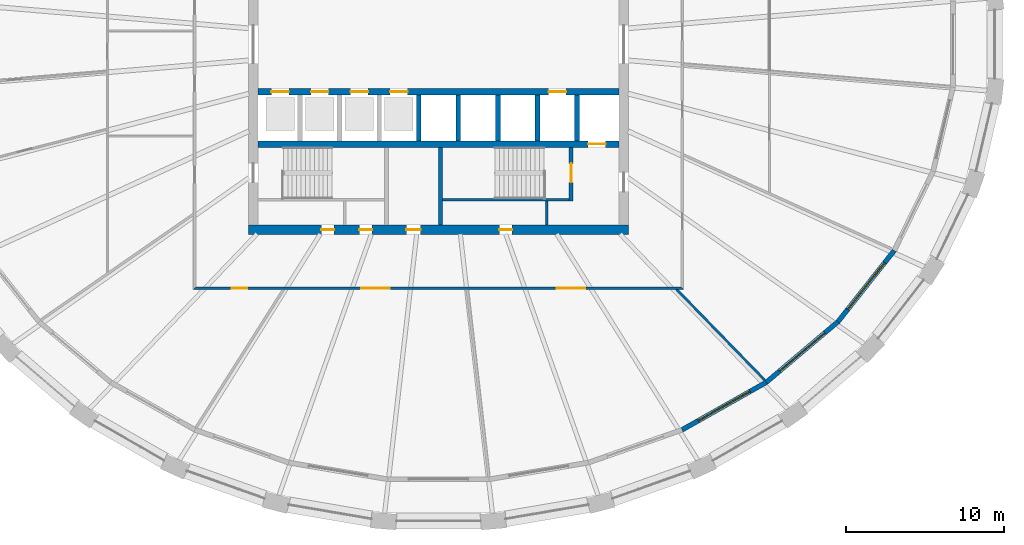
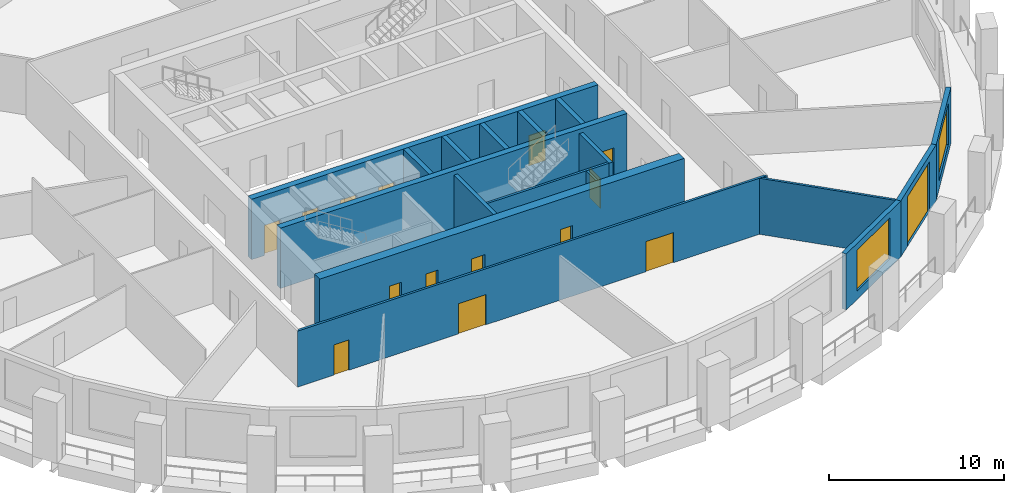
# One storey, part 4 of 10: 17 walls, 15 doors, 2 windows, 17 openings.
"""IFC4 building model written with IfcOpenShell, lengths in metres."""

import ifcopenshell
import ifcopenshell.guid

model = None  # the IFC model being written
_history = None  # IfcOwnerHistory: only IFC2X3 demands one
_inside = {}  # id of a spatial element -> (the spatial element, [elements in it])
_under = {}  # id of a project, library or spatial element -> (it, [spatial elements below it])
_declared = {}  # id of a project -> (the project, [libraries it declares])
_typed = {}  # id of a type object -> (the type object, [elements of that type])
_made_of = {}  # id of a material, layer set ... -> (it, [elements and type objects made of it])


def new_model(schema):
    """Start an empty IFC model of exactly this schema.

    Asked for "IFC4X3", IfcOpenShell would pick the latest addendum, in which some entities
    have other attributes; the version numbers below select the first issue.
    IFC2X3 requires an IfcOwnerHistory on every rooted entity: one is made here for all.
    """
    global model, _history
    if schema == "IFC4X3":
        model = ifcopenshell.file(schema_version=(4, 3, 0, 0))
    else:
        model = ifcopenshell.file(schema=schema)
    _inside.clear()
    _under.clear()
    _declared.clear()
    _typed.clear()
    _made_of.clear()
    _history = None
    if model.schema == "IFC2X3":
        org = make("IfcOrganization", Name="unknown")
        user = make(
            "IfcPersonAndOrganization",
            ThePerson=make("IfcPerson", FamilyName="unknown"),
            TheOrganization=org,
        )
        app = make(
            "IfcApplication",
            ApplicationDeveloper=org,
            Version="unknown",
            ApplicationFullName="unknown",
            ApplicationIdentifier="unknown",
        )
        _history = make(
            "IfcOwnerHistory",
            OwningUser=user,
            OwningApplication=app,
            ChangeAction="ADDED",
            CreationDate=0,
        )
    return model


def make(cls, **values):
    """One entity of the class cls with the attributes given. An attribute that is None is left unset."""
    return model.create_entity(
        cls, **{name: value for name, value in values.items() if value is not None}
    )


def rooted(cls, **values):
    """An entity with a GlobalId (a new one), such as an element, a storey or a relation."""
    return make(cls, GlobalId=ifcopenshell.guid.new(), OwnerHistory=_history, **values)


def si_unit(unit_type, name, prefix=None):
    """IfcSIUnit, for example si_unit("LENGTHUNIT", "METRE", prefix="MILLI")."""
    return make("IfcSIUnit", UnitType=unit_type, Prefix=prefix, Name=name)


def assignment(units):
    """IfcUnitAssignment: the units of a project."""
    return None if units is None else make("IfcUnitAssignment", Units=units)


def point(xyz):
    """IfcCartesianPoint."""
    return None if xyz is None else make("IfcCartesianPoint", Coordinates=xyz)


def direction(xyz):
    """IfcDirection."""
    return None if xyz is None else make("IfcDirection", DirectionRatios=xyz)


def frame(location, z_axis=None, x_axis=None):
    """IfcAxis2Placement3D, a coordinate frame: its origin and axes. An axis left out is left unset."""
    return make(
        "IfcAxis2Placement3D",
        Location=point(location),
        Axis=direction(z_axis),
        RefDirection=direction(x_axis),
    )


def frame_2d(location, x_axis=None):
    """IfcAxis2Placement2D, a coordinate frame in the plane: its origin and x axis."""
    return make(
        "IfcAxis2Placement2D", Location=point(location), RefDirection=direction(x_axis)
    )


def origin():
    """The frame at (0, 0, 0) with its axes left unset."""
    return frame((0.0, 0.0, 0.0))


def place(relative_to, where):
    """IfcLocalPlacement: puts the frame where relative to a parent placement (None: the world)."""
    return make(
        "IfcLocalPlacement", PlacementRelTo=relative_to, RelativePlacement=where
    )


def context(
    kind, dimensions, precision=None, world=None, true_north=None, identifier=None
):
    """IfcGeometricRepresentationContext, for example the 3D "Model" context."""
    return make(
        "IfcGeometricRepresentationContext",
        ContextIdentifier=identifier,
        ContextType=kind,
        CoordinateSpaceDimension=dimensions,
        Precision=precision,
        WorldCoordinateSystem=world,
        TrueNorth=true_north,
    )


def subcontext(parent, identifier, kind, view, scale=None):
    """IfcGeometricRepresentationSubContext, for example "Body" below "Model"."""
    return make(
        "IfcGeometricRepresentationSubContext",
        ContextIdentifier=identifier,
        ContextType=kind,
        ParentContext=parent,
        TargetScale=scale,
        TargetView=view,
    )


def project(units=None, contexts=None):
    """IfcProject with its units and contexts."""
    return rooted(
        "IfcProject",
        Name="project",
        RepresentationContexts=contexts,
        UnitsInContext=assignment(units),
    )


def spatial(cls, under=None, at=None, **own):
    """A site, building, storey or space (cls), placed at a placement, below another one or the project."""
    s = rooted(cls, ObjectPlacement=at, **own)
    if under is not None:
        _under.setdefault(under.id(), (under, []))[1].append(s)
    return s


def polyline(points):
    """IfcPolyline through the points."""
    return make("IfcPolyline", Points=[point(p) for p in points])


def profile(cls, at=None, kind="AREA", **sizes):
    """A parametric profile (cls). Its sizes go by their IFC names, for example OverallWidth=200.0."""
    return make(cls, ProfileType=kind, Position=at, **sizes)


def rectangle(**sizes):
    """IfcRectangleProfileDef."""
    return profile("IfcRectangleProfileDef", **sizes)


def outline(outer, holes=None, kind="AREA"):
    """IfcArbitraryClosedProfileDef: a profile drawn as a closed curve; with holes, ...WithVoids."""
    if holes is None:
        return make("IfcArbitraryClosedProfileDef", ProfileType=kind, OuterCurve=outer)
    return make(
        "IfcArbitraryProfileDefWithVoids",
        ProfileType=kind,
        OuterCurve=outer,
        InnerCurves=holes,
    )


def extrude(swept, where, along, depth):
    """IfcExtrudedAreaSolid: the profile swept, set in the frame where, extruded along a direction by depth."""
    return make(
        "IfcExtrudedAreaSolid",
        SweptArea=swept,
        Position=where,
        ExtrudedDirection=direction(along),
        Depth=depth,
    )


def shape(context_of_items, identifier, shape_type, items):
    """IfcShapeRepresentation: the items that make up one representation, for example the "Body"."""
    return make(
        "IfcShapeRepresentation",
        ContextOfItems=context_of_items,
        RepresentationIdentifier=identifier,
        RepresentationType=shape_type,
        Items=items,
    )


def material(Name=None, Category=None):
    """IfcMaterial."""
    return make("IfcMaterial", Name=Name, Category=Category)


def layer(
    of_material, thickness, ventilated=None, Name=None, Category=None, Priority=None
):
    """IfcMaterialLayer: one layer of a wall or slab, of a material (None: an air gap)."""
    return make(
        "IfcMaterialLayer",
        Material=of_material,
        LayerThickness=thickness,
        IsVentilated=ventilated,
        Name=Name,
        Category=Category,
        Priority=Priority,
    )


def layer_set(layers, Name=None):
    """IfcMaterialLayerSet."""
    return make("IfcMaterialLayerSet", MaterialLayers=layers, LayerSetName=Name)


def made_of(thing, what):
    """Note that an element or type object is made of a material, layer set ...; save() writes the relation."""
    if what is not None:
        _made_of.setdefault(what.id(), (what, []))[1].append(thing)
    return thing


def type_object(cls, material=None, **own):
    """A type object (cls), such as IfcWallType, which elements share."""
    return made_of(rooted(cls, **own), material)


def element(
    cls,
    number,
    at=None,
    inside=None,
    cuts=None,
    type_object=None,
    material=None,
    context=None,
    identifier="Body",
    shape_type=None,
    held_by="IfcProductDefinitionShape",
    body=None,
    shapes=None,
    **own,
):
    """One element of the class cls, such as IfcWall. Its Tag is "e" and its number.

    at: its placement. inside: the storey or other place that contains it. cuts: it is an
    opening in that element (IfcRelVoidsElement). A single representation is given by context,
    identifier, shape_type and body (its items); several are given by shapes. held_by: the class
    of the entity that holds the representations. save() writes the other relations.
    """
    e = rooted(cls, Tag="e%d" % number, ObjectPlacement=at, **own)
    if body is not None:
        shapes = [shape(context, identifier, shape_type, body)]
    if shapes is not None:
        e.Representation = make(held_by, Representations=shapes)
    if inside is not None:
        _inside.setdefault(inside.id(), (inside, []))[1].append(e)
    if cuts is not None:
        rooted(
            "IfcRelVoidsElement", RelatingBuildingElement=cuts, RelatedOpeningElement=e
        )
    if type_object is not None:
        _typed.setdefault(type_object.id(), (type_object, []))[1].append(e)
    return made_of(e, material)


def fill(opening, filler):
    """IfcRelFillsElement: the door or window that sits in an opening."""
    return rooted(
        "IfcRelFillsElement",
        RelatingOpeningElement=opening,
        RelatedBuildingElement=filler,
    )


def aggregate(whole, parts):
    """IfcRelAggregates: a whole, such as a stair, and the parts it consists of."""
    return rooted("IfcRelAggregates", RelatingObject=whole, RelatedObjects=parts)


def save(model, path):
    """Write the relations noted so far, then the file.

    IfcRelAggregates (storeys below a building ...), IfcRelContainedInSpatialStructure (elements
    in a storey), IfcRelDefinesByType, IfcRelAssociatesMaterial and IfcRelDeclares: one each for
    every whole, place, type object, material and project.
    """
    for whole, parts in _under.values():
        aggregate(whole, parts)
    for where, things in _inside.values():
        rooted(
            "IfcRelContainedInSpatialStructure",
            RelatedElements=things,
            RelatingStructure=where,
        )
    for kind, things in _typed.values():
        rooted("IfcRelDefinesByType", RelatedObjects=things, RelatingType=kind)
    for what, things in _made_of.values():
        rooted("IfcRelAssociatesMaterial", RelatedObjects=things, RelatingMaterial=what)
    for by, libraries in _declared.values():
        rooted("IfcRelDeclares", RelatingContext=by, RelatedDefinitions=libraries)
    model.write(path)


model = new_model("IFC4")

# Units and contexts
model_context = context("Model", 3, precision=1e-05, world=origin(), true_north=direction((0.0, 1.0)))
body_context = subcontext(model_context, "Body", "Model", "MODEL_VIEW")
ifc_project = project(units=[si_unit("LENGTHUNIT", "METRE"), si_unit("AREAUNIT", "SQUARE_METRE"), si_unit("VOLUMEUNIT", "CUBIC_METRE"), si_unit("PLANEANGLEUNIT", "RADIAN"), si_unit("MASSUNIT", "GRAM", prefix="KILO")], contexts=[model_context])

# Site, building, storey
site_placement = place(None, origin())
site = spatial("IfcSite", under=ifc_project, at=site_placement, CompositionType="ELEMENT")
building_placement = place(site_placement, origin())
building = spatial("IfcBuilding", under=site, at=building_placement, Name="Halqa Exchange Tower", CompositionType="ELEMENT")
storey_placement = place(building_placement, frame((0.0, 0.0, 104.5)))
storey = spatial("IfcBuildingStorey", under=building, at=storey_placement, Name="L23", CompositionType="ELEMENT", Elevation=104.5)

# Wall, openings, doors
ifc_material_1 = material(Name="Fire-rated gypsum board")
ifc_layer_1 = layer(ifc_material_1, 0.14990234375)
ifc_layer_set_1 = layer_set([ifc_layer_1], Name="Fire-rated gypsum board")
wall_type_1 = type_object("IfcWallType", Name="Fire partition EI 60 150", PredefinedType="PARTITIONING", material=ifc_layer_set_1)
wall_1_placement = place(storey_placement, frame((-15.47509765625, -15.39990234375, 0.0), z_axis=(0.0, 0.0, 1.0), x_axis=(1.0, 0.0, 0.0)))
wall_1 = element("IfcWall", 1, at=wall_1_placement, inside=storey, type_object=wall_type_1, Name="L23-PWL-009", PredefinedType="PARTITIONING", context=body_context, shape_type="SweptSolid", body=[
    extrude(outline(polyline([(0.000244140625, -0.074951171875), (1.9345703125, -0.074951171875), (3.868896484375, -0.074951171875), (5.80322265625, -0.074951171875), (7.73779296875, -0.074951171875), (9.672119140625, -0.074951171875), (11.6064453125, -0.074951171875), (13.540771484375, -0.074951171875), (15.47509765625, -0.074951171875), (17.409423828125, -0.074951171875), (19.34375, -0.074951171875), (21.278076171875, -0.074951171875), (23.21240234375, -0.074951171875), (25.14697265625, -0.074951171875), (27.081298828125, -0.074951171875), (29.015625, -0.074951171875), (30.949951171875, -0.074951171875), (30.800048828125, 0.074951171875), (28.884521484375, 0.074951171875), (26.96875, 0.074951171875), (25.05322265625, 0.074951171875), (23.1376953125, 0.074951171875), (21.221923828125, 0.074951171875), (19.306396484375, 0.074951171875), (17.390625, 0.074951171875), (15.47509765625, 0.074951171875), (13.5595703125, 0.074951171875), (11.643798828125, 0.074951171875), (9.728271484375, 0.074951171875), (7.8125, 0.074951171875), (5.89697265625, 0.074951171875), (3.9814453125, 0.074951171875), (2.065673828125, 0.074951171875), (0.150146484375, 0.074951171875), (0.000244140625, -0.074951171875)])), origin(), (0.0, 0.0, 1.0), 3.89990234375),
])
opening_1_placement = place(wall_1_placement, frame((2.405029296875, 0.0, 0.0)))
opening_1 = element("IfcOpeningElement", 2, at=opening_1_placement, cuts=wall_1, Name="Opening 07-08", PredefinedType="OPENING", context=body_context, shape_type="SweptSolid", body=[
    extrude(rectangle(XDim=1.0, YDim=2.10009765625, at=frame_2d((0.5, 1.050048828125))), frame((0.0, 0.0869140625, 0.0), z_axis=(0.0, -1.0, 0.0), x_axis=(1.0, 0.0, 0.0)), (0.0, 0.0, 1.0), 0.173828125),
])
opening_2_placement = place(wall_1_placement, frame((10.60498046875, 0.0, 0.0)))
opening_2 = element("IfcOpeningElement", 3, at=opening_2_placement, cuts=wall_1, Name="Opening 07-09", PredefinedType="OPENING", context=body_context, shape_type="SweptSolid", body=[
    extrude(rectangle(XDim=1.800048828125, YDim=2.10009765625, at=frame_2d((0.89990234375, 1.050048828125))), frame((0.0, 0.0869140625, 0.0), z_axis=(0.0, -1.0, 0.0), x_axis=(1.0, 0.0, 0.0)), (0.0, 0.0, 1.0), 0.173828125),
])
opening_3_placement = place(wall_1_placement, frame((22.955078125, 0.0, 0.0)))
opening_3 = element("IfcOpeningElement", 4, at=opening_3_placement, cuts=wall_1, Name="Opening 07-10", PredefinedType="OPENING", context=body_context, shape_type="SweptSolid", body=[
    extrude(rectangle(XDim=1.800048828125, YDim=2.10009765625, at=frame_2d((0.89990234375, 1.050048828125))), frame((0.0, 0.0869140625, 0.0), z_axis=(0.0, -1.0, 0.0), x_axis=(1.0, 0.0, 0.0)), (0.0, 0.0, 1.0), 0.173828125),
])
ifc_material_2 = material(Name="Steel fire door leaf", Category="steel")
door_type_1 = type_object("IfcDoorType", Name="Fire door FD30S 1000 x 2100", OperationType="SINGLE_SWING_LEFT", PredefinedType="DOOR", material=ifc_material_2)
door_1_placement = place(opening_1_placement, frame((1.0, 0.0, 0.0), z_axis=(0.0, 0.0, 1.0), x_axis=(-1.0, 0.0, 0.0)))
door_1 = element("IfcDoor", 5, at=door_1_placement, inside=storey, type_object=door_type_1, Name="L23-IDR-008", OperationType="SINGLE_SWING_RIGHT", OverallHeight=2.10009765625, OverallWidth=1.0, PredefinedType="DOOR", context=body_context, shape_type="SweptSolid", body=[
    extrude(rectangle(XDim=1.0, YDim=2.10009765625, at=frame_2d((0.5, 1.050048828125))), frame((0.0, 0.02490234375, 0.0), z_axis=(0.0, -1.0, 0.0), x_axis=(1.0, 0.0, 0.0)), (0.0, 0.0, 1.0), 0.050048828125),
])
fill(opening_1, door_1)
door_type_2 = type_object("IfcDoorType", Name="Fire door FD30S double 1800 x 2100", OperationType="DOUBLE_DOOR_SINGLE_SWING", PredefinedType="DOOR", material=ifc_material_2)
door_2_placement = place(opening_2_placement, frame((1.800048828125, 0.0, 0.0), z_axis=(0.0, 0.0, 1.0), x_axis=(-1.0, 0.0, 0.0)))
door_2 = element("IfcDoor", 6, at=door_2_placement, inside=storey, type_object=door_type_2, Name="L23-IDR-009", OperationType="DOUBLE_DOOR_SINGLE_SWING", OverallHeight=2.10009765625, OverallWidth=1.800048828125, PredefinedType="DOOR", context=body_context, shape_type="SweptSolid", body=[
    extrude(rectangle(XDim=1.800048828125, YDim=2.10009765625, at=frame_2d((0.89990234375, 1.050048828125))), frame((0.0, 0.02490234375, 0.0), z_axis=(0.0, -1.0, 0.0), x_axis=(1.0, 0.0, 0.0)), (0.0, 0.0, 1.0), 0.050048828125),
])
fill(opening_2, door_2)
door_3_placement = place(opening_3_placement, frame((1.800048828125, 0.0, 0.0), z_axis=(0.0, 0.0, 1.0), x_axis=(-1.0, 0.0, 0.0)))
door_3 = element("IfcDoor", 7, at=door_3_placement, inside=storey, type_object=door_type_2, Name="L23-IDR-010", OperationType="DOUBLE_DOOR_SINGLE_SWING", OverallHeight=2.10009765625, OverallWidth=1.800048828125, PredefinedType="DOOR", context=body_context, shape_type="SweptSolid", body=[
    extrude(rectangle(XDim=1.800048828125, YDim=2.10009765625, at=frame_2d((0.89990234375, 1.050048828125))), frame((0.0, 0.02490234375, 0.0), z_axis=(0.0, -1.0, 0.0), x_axis=(1.0, 0.0, 0.0)), (0.0, 0.0, 1.0), 0.050048828125),
])
fill(opening_3, door_3)

# Walls
wall_2_placement = place(storey_placement, frame((14.982421875, -15.4228515625, 0.0), z_axis=(0.0, 0.0, 1.0), x_axis=(0.696915710248, -0.717153046992, 0.0)))
element("IfcWall", 8, at=wall_2_placement, inside=storey, type_object=wall_type_1, Name="L23-PWL-016", PredefinedType="PARTITIONING", context=body_context, shape_type="SweptSolid", body=[
    extrude(outline(polyline([(8.05859375, 0.074951171875), (6.080322265625, 0.074951171875), (4.10205078125, 0.074951171875), (2.123779296875, 0.074951171875), (0.1455078125, 0.074951171875), (0.0, -0.07470703125), (0.0, -0.074951171875), (1.61181640625, -0.074951171875), (3.223388671875, -0.074951171875), (4.835205078125, -0.074951171875), (6.44677734375, -0.074951171875), (8.05859375, -0.074951171875), (8.05859375, 0.074951171875)])), origin(), (0.0, 0.0, 1.0), 3.89990234375),
])
ifc_material_3 = material(Name="Gypsum board")
ifc_layer_2 = layer(ifc_material_3, 0.14990234375)
ifc_layer_set_2 = layer_set([ifc_layer_2], Name="Gypsum board")
wall_type_2 = type_object("IfcWallType", Name="Penthouse riser wall 150 gypsum", PredefinedType="PARTITIONING", material=ifc_layer_set_2)
wall_3_placement = place(storey_placement, frame((6.824951171875, -11.39990234375, 0.0), z_axis=(0.0, 0.0, 1.0), x_axis=(0.0, 1.0, 0.0)))
element("IfcWall", 9, at=wall_3_placement, inside=storey, type_object=wall_type_2, Name="Firefighting lobby west wall S", PredefinedType="PARTITIONING", context=body_context, shape_type="SweptSolid", body=[
    extrude(rectangle(XDim=1.5, YDim=0.14990234375, at=frame_2d((0.75, 0.0))), origin(), (0.0, 0.0, 1.0), 3.89990234375),
])
ifc_material_4 = material(Name="Concrete C60/75", Category="concrete")
ifc_layer_3 = layer(ifc_material_4, 0.300048828125)
ifc_layer_set_3 = layer_set([ifc_layer_3], Name="Concrete C60/75")
wall_type_3 = type_object("IfcWallType", Name="RC core wall 300", PredefinedType="SHEAR", material=ifc_layer_set_3)
for number, where, z_axis, x_axis, name in (
    (10, (-1.25, -6.10009765625, 0.0), (0.0, 0.0, 1.0), (0.0, 1.0, 0.0), "Shaft divider S4"),
    (11, (1.25, -6.10009765625, 0.0), (0.0, 0.0, 1.0), (0.0, 1.0, 0.0), "Shaft divider S5"),
    (12, (3.75, -6.10009765625, 0.0), (0.0, 0.0, 1.0), (0.0, 1.0, 0.0), "Shaft divider S6"),
    (13, (6.25, -6.10009765625, 0.0), (0.0, 0.0, 1.0), (0.0, 1.0, 0.0), "Shaft divider S7"),
    (14, (8.75, -6.10009765625, 0.0), (0.0, 0.0, 1.0), (0.0, 1.0, 0.0), "Shaft divider S8"),
):
    element("IfcWall", number, at=place(storey_placement, frame(where, z_axis=z_axis, x_axis=x_axis)), inside=storey, type_object=wall_type_3, Name=name, PredefinedType="SHEAR", context=body_context, shape_type="SweptSolid", body=[
        extrude(rectangle(XDim=2.900146484375, YDim=0.300048828125, at=frame_2d((1.4501953125, 0.0))), origin(), (0.0, 0.0, 1.0), 4.199951171875),
    ])

# Wall, openings, doors
ifc_material_5 = material(Name="Concrete C70/85", Category="concrete")
ifc_layer_4 = layer(ifc_material_5, 0.39990234375)
ifc_layer_set_4 = layer_set([ifc_layer_4], Name="Concrete C70/85")
wall_type_4 = type_object("IfcWallType", Name="RC core wall 400 C70/85", PredefinedType="SHEAR", material=ifc_layer_set_4)
wall_4_placement = place(storey_placement, frame((-11.39990234375, -3.0, 0.0), z_axis=(0.0, 0.0, 1.0), x_axis=(1.0, 0.0, 0.0)))
wall_4 = element("IfcWall", 15, at=wall_4_placement, inside=storey, type_object=wall_type_4, Name="Lift row front wall S", PredefinedType="SHEAR", context=body_context, shape_type="SweptSolid", body=[
    extrude(rectangle(XDim=22.7998046875, YDim=0.39990234375, at=frame_2d((11.39990234375, 0.0))), origin(), (0.0, 0.0, 1.0), 4.199951171875),
])
opening_4_placement = place(wall_4_placement, frame((0.85009765625, 0.0, 0.0)))
opening_4 = element("IfcOpeningElement", 16, at=opening_4_placement, cuts=wall_4, Name="Opening LD-LR5-T07", PredefinedType="OPENING", context=body_context, shape_type="SweptSolid", body=[
    extrude(rectangle(XDim=1.10009765625, YDim=2.10009765625, at=frame_2d((0.550048828125, 1.050048828125))), frame((0.0, 0.2119140625, 0.0), z_axis=(0.0, -1.0, 0.0), x_axis=(1.0, 0.0, 0.0)), (0.0, 0.0, 1.0), 0.423828125),
])
opening_5_placement = place(wall_4_placement, frame((3.35009765625, 0.0, 0.0)))
opening_5 = element("IfcOpeningElement", 17, at=opening_5_placement, cuts=wall_4, Name="Opening LD-LR6-T07", PredefinedType="OPENING", context=body_context, shape_type="SweptSolid", body=[
    extrude(rectangle(XDim=1.10009765625, YDim=2.10009765625, at=frame_2d((0.550048828125, 1.050048828125))), frame((0.0, 0.2119140625, 0.0), z_axis=(0.0, -1.0, 0.0), x_axis=(1.0, 0.0, 0.0)), (0.0, 0.0, 1.0), 0.423828125),
])
opening_6_placement = place(wall_4_placement, frame((5.85009765625, 0.0, 0.0)))
opening_6 = element("IfcOpeningElement", 18, at=opening_6_placement, cuts=wall_4, Name="Opening LD-LR7-T07", PredefinedType="OPENING", context=body_context, shape_type="SweptSolid", body=[
    extrude(rectangle(XDim=1.10009765625, YDim=2.10009765625, at=frame_2d((0.550048828125, 1.050048828125))), frame((0.0, 0.2119140625, 0.0), z_axis=(0.0, -1.0, 0.0), x_axis=(1.0, 0.0, 0.0)), (0.0, 0.0, 1.0), 0.423828125),
])
opening_7_placement = place(wall_4_placement, frame((8.35009765625, 0.0, 0.0)))
opening_7 = element("IfcOpeningElement", 19, at=opening_7_placement, cuts=wall_4, Name="Opening LD-LR8-T07", PredefinedType="OPENING", context=body_context, shape_type="SweptSolid", body=[
    extrude(rectangle(XDim=1.10009765625, YDim=2.10009765625, at=frame_2d((0.550048828125, 1.050048828125))), frame((0.0, 0.2119140625, 0.0), z_axis=(0.0, -1.0, 0.0), x_axis=(1.0, 0.0, 0.0)), (0.0, 0.0, 1.0), 0.423828125),
])
opening_8_placement = place(wall_4_placement, frame((18.35009765625, 0.0, 0.0)))
opening_8 = element("IfcOpeningElement", 20, at=opening_8_placement, cuts=wall_4, Name="Opening LD-SV2-T07", PredefinedType="OPENING", context=body_context, shape_type="SweptSolid", body=[
    extrude(rectangle(XDim=1.10009765625, YDim=2.10009765625, at=frame_2d((0.550048828125, 1.050048828125))), frame((0.0, 0.2119140625, 0.0), z_axis=(0.0, -1.0, 0.0), x_axis=(1.0, 0.0, 0.0)), (0.0, 0.0, 1.0), 0.423828125),
])
ifc_material_6 = material(Name="Stainless steel", Category="steel")
door_type_3 = type_object("IfcDoorType", Name="Lift landing door 1100 x 2100", OperationType="SLIDING_TO_LEFT", PredefinedType="DOOR", material=ifc_material_6)
door_4_placement = place(opening_4_placement, origin())
door_4 = element("IfcDoor", 21, at=door_4_placement, inside=storey, type_object=door_type_3, Name="Lift landing door LR5", OperationType="SLIDING_TO_LEFT", OverallHeight=2.10009765625, OverallWidth=1.10009765625, PredefinedType="DOOR", context=body_context, shape_type="SweptSolid", body=[
    extrude(rectangle(XDim=1.10009765625, YDim=2.10009765625, at=frame_2d((0.550048828125, 1.050048828125))), frame((0.0, 0.02490234375, 0.0), z_axis=(0.0, -1.0, 0.0), x_axis=(1.0, 0.0, 0.0)), (0.0, 0.0, 1.0), 0.050048828125),
])
fill(opening_4, door_4)
door_5_placement = place(opening_5_placement, origin())
door_5 = element("IfcDoor", 22, at=door_5_placement, inside=storey, type_object=door_type_3, Name="Lift landing door LR6", OperationType="SLIDING_TO_LEFT", OverallHeight=2.10009765625, OverallWidth=1.10009765625, PredefinedType="DOOR", context=body_context, shape_type="SweptSolid", body=[
    extrude(rectangle(XDim=1.10009765625, YDim=2.10009765625, at=frame_2d((0.550048828125, 1.050048828125))), frame((0.0, 0.02490234375, 0.0), z_axis=(0.0, -1.0, 0.0), x_axis=(1.0, 0.0, 0.0)), (0.0, 0.0, 1.0), 0.050048828125),
])
fill(opening_5, door_5)
door_6_placement = place(opening_6_placement, origin())
door_6 = element("IfcDoor", 23, at=door_6_placement, inside=storey, type_object=door_type_3, Name="Lift landing door LR7", OperationType="SLIDING_TO_LEFT", OverallHeight=2.10009765625, OverallWidth=1.10009765625, PredefinedType="DOOR", context=body_context, shape_type="SweptSolid", body=[
    extrude(rectangle(XDim=1.10009765625, YDim=2.10009765625, at=frame_2d((0.550048828125, 1.050048828125))), frame((0.0, 0.02490234375, 0.0), z_axis=(0.0, -1.0, 0.0), x_axis=(1.0, 0.0, 0.0)), (0.0, 0.0, 1.0), 0.050048828125),
])
fill(opening_6, door_6)
door_7_placement = place(opening_7_placement, origin())
door_7 = element("IfcDoor", 24, at=door_7_placement, inside=storey, type_object=door_type_3, Name="Lift landing door LR8", OperationType="SLIDING_TO_LEFT", OverallHeight=2.10009765625, OverallWidth=1.10009765625, PredefinedType="DOOR", context=body_context, shape_type="SweptSolid", body=[
    extrude(rectangle(XDim=1.10009765625, YDim=2.10009765625, at=frame_2d((0.550048828125, 1.050048828125))), frame((0.0, 0.02490234375, 0.0), z_axis=(0.0, -1.0, 0.0), x_axis=(1.0, 0.0, 0.0)), (0.0, 0.0, 1.0), 0.050048828125),
])
fill(opening_7, door_7)
door_8_placement = place(opening_8_placement, origin())
door_8 = element("IfcDoor", 25, at=door_8_placement, inside=storey, type_object=door_type_3, Name="Lift landing door SV2", OperationType="SLIDING_TO_LEFT", OverallHeight=2.10009765625, OverallWidth=1.10009765625, PredefinedType="DOOR", context=body_context, shape_type="SweptSolid", body=[
    extrude(rectangle(XDim=1.10009765625, YDim=2.10009765625, at=frame_2d((0.550048828125, 1.050048828125))), frame((0.0, 0.02490234375, 0.0), z_axis=(0.0, -1.0, 0.0), x_axis=(1.0, 0.0, 0.0)), (0.0, 0.0, 1.0), 0.050048828125),
])
fill(opening_8, door_8)

# Wall, opening, door
wall_5_placement = place(storey_placement, frame((-11.39990234375, -6.300048828125, 0.0), z_axis=(0.0, 0.0, 1.0), x_axis=(1.0, 0.0, 0.0)))
wall_5 = element("IfcWall", 26, at=wall_5_placement, inside=storey, type_object=wall_type_4, Name="Lift row back wall S", PredefinedType="SHEAR", context=body_context, shape_type="SweptSolid", body=[
    extrude(rectangle(XDim=22.7998046875, YDim=0.39990234375, at=frame_2d((11.39990234375, 0.0))), origin(), (0.0, 0.0, 1.0), 4.199951171875),
])
opening_9_placement = place(wall_5_placement, frame((20.85009765625, 0.0, 0.0)))
opening_9 = element("IfcOpeningElement", 27, at=opening_9_placement, cuts=wall_5, Name="Opening LD-FF2-T07", PredefinedType="OPENING", context=body_context, shape_type="SweptSolid", body=[
    extrude(rectangle(XDim=1.10009765625, YDim=2.10009765625, at=frame_2d((0.550048828125, 1.050048828125))), frame((0.0, 0.2119140625, 0.0), z_axis=(0.0, -1.0, 0.0), x_axis=(1.0, 0.0, 0.0)), (0.0, 0.0, 1.0), 0.423828125),
])
door_9_placement = place(opening_9_placement, origin())
door_9 = element("IfcDoor", 28, at=door_9_placement, inside=storey, type_object=door_type_3, Name="Lift landing door FF2", OperationType="SLIDING_TO_LEFT", OverallHeight=2.10009765625, OverallWidth=1.10009765625, PredefinedType="DOOR", context=body_context, shape_type="SweptSolid", body=[
    extrude(rectangle(XDim=1.10009765625, YDim=2.10009765625, at=frame_2d((0.550048828125, 1.050048828125))), frame((0.0, 0.02490234375, 0.0), z_axis=(0.0, -1.0, 0.0), x_axis=(1.0, 0.0, 0.0)), (0.0, 0.0, 1.0), 0.050048828125),
])
fill(opening_9, door_9)

# Wall, openings, doors
ifc_layer_5 = layer(ifc_material_5, 0.60009765625)
ifc_layer_set_5 = layer_set([ifc_layer_5], Name="Concrete C70/85")
wall_type_5 = type_object("IfcWallType", Name="RC core wall 600 C70/85", PredefinedType="SHEAR", material=ifc_layer_set_5)
wall_6_placement = place(storey_placement, frame((-12.0, -11.699951171875, 0.0), z_axis=(0.0, 0.0, 1.0), x_axis=(1.0, 0.0, 0.0)))
wall_6 = element("IfcWall", 29, at=wall_6_placement, inside=storey, type_object=wall_type_5, Name="Core wall south", PredefinedType="SHEAR", context=body_context, shape_type="SweptSolid", body=[
    extrude(rectangle(XDim=24.0, YDim=0.60009765625, at=frame_2d((12.0, 0.0))), origin(), (0.0, 0.0, 1.0), 4.199951171875),
])
opening_10_placement = place(wall_6_placement, frame((9.97509765625, 0.0, 0.0)))
opening_10 = element("IfcOpeningElement", 30, at=opening_10_placement, cuts=wall_6, Name="Opening T07-C25", PredefinedType="OPENING", context=body_context, shape_type="SweptSolid", body=[
    extrude(rectangle(XDim=0.89990234375, YDim=2.10009765625, at=frame_2d((0.449951171875, 1.050048828125))), frame((0.0, 0.31201171875, 0.0), z_axis=(0.0, -1.0, 0.0), x_axis=(1.0, 0.0, 0.0)), (0.0, 0.0, 1.0), 0.6240234375),
])
opening_11_placement = place(wall_6_placement, frame((4.60009765625, 0.0, 0.0)))
opening_11 = element("IfcOpeningElement", 31, at=opening_11_placement, cuts=wall_6, Name="Opening T07-C26", PredefinedType="OPENING", context=body_context, shape_type="SweptSolid", body=[
    extrude(rectangle(XDim=0.800048828125, YDim=2.10009765625, at=frame_2d((0.39990234375, 1.050048828125))), frame((0.0, 0.31201171875, 0.0), z_axis=(0.0, -1.0, 0.0), x_axis=(1.0, 0.0, 0.0)), (0.0, 0.0, 1.0), 0.6240234375),
])
opening_12_placement = place(wall_6_placement, frame((7.0, 0.0, 0.0)))
opening_12 = element("IfcOpeningElement", 32, at=opening_12_placement, cuts=wall_6, Name="Opening T07-C27", PredefinedType="OPENING", context=body_context, shape_type="SweptSolid", body=[
    extrude(rectangle(XDim=0.800048828125, YDim=2.10009765625, at=frame_2d((0.39990234375, 1.050048828125))), frame((0.0, 0.31201171875, 0.0), z_axis=(0.0, -1.0, 0.0), x_axis=(1.0, 0.0, 0.0)), (0.0, 0.0, 1.0), 0.6240234375),
])
opening_13_placement = place(wall_6_placement, frame((15.85009765625, 0.0, 0.0)))
opening_13 = element("IfcOpeningElement", 33, at=opening_13_placement, cuts=wall_6, Name="Opening T07-C28", PredefinedType="OPENING", context=body_context, shape_type="SweptSolid", body=[
    extrude(rectangle(XDim=0.800048828125, YDim=2.10009765625, at=frame_2d((0.39990234375, 1.050048828125))), frame((0.0, 0.31201171875, 0.0), z_axis=(0.0, -1.0, 0.0), x_axis=(1.0, 0.0, 0.0)), (0.0, 0.0, 1.0), 0.6240234375),
])
ifc_material_7 = material(Name="Timber fire door leaf", Category="wood")
door_type_4 = type_object("IfcDoorType", Name="Core room door FD30 900 x 2100", OperationType="SINGLE_SWING_LEFT", PredefinedType="DOOR", material=ifc_material_7)
door_10_placement = place(opening_10_placement, origin())
door_10 = element("IfcDoor", 34, at=door_10_placement, inside=storey, type_object=door_type_4, Name="Core room door", OperationType="SINGLE_SWING_LEFT", OverallHeight=2.10009765625, OverallWidth=0.89990234375, PredefinedType="DOOR", context=body_context, shape_type="SweptSolid", body=[
    extrude(rectangle(XDim=0.89990234375, YDim=2.10009765625, at=frame_2d((0.449951171875, 1.050048828125))), frame((0.0, 0.02490234375, 0.0), z_axis=(0.0, -1.0, 0.0), x_axis=(1.0, 0.0, 0.0)), (0.0, 0.0, 1.0), 0.050048828125),
])
fill(opening_10, door_10)
door_type_5 = type_object("IfcDoorType", Name="Riser door FD60 800 x 2100", OperationType="SINGLE_SWING_LEFT", PredefinedType="DOOR", material=ifc_material_2)
door_11_placement = place(opening_11_placement, origin())
door_11 = element("IfcDoor", 35, at=door_11_placement, inside=storey, type_object=door_type_5, Name="Core room door", OperationType="SINGLE_SWING_LEFT", OverallHeight=2.10009765625, OverallWidth=0.800048828125, PredefinedType="DOOR", context=body_context, shape_type="SweptSolid", body=[
    extrude(rectangle(XDim=0.800048828125, YDim=2.10009765625, at=frame_2d((0.39990234375, 1.050048828125))), frame((0.0, 0.02490234375, 0.0), z_axis=(0.0, -1.0, 0.0), x_axis=(1.0, 0.0, 0.0)), (0.0, 0.0, 1.0), 0.050048828125),
])
fill(opening_11, door_11)
door_12_placement = place(opening_12_placement, origin())
door_12 = element("IfcDoor", 36, at=door_12_placement, inside=storey, type_object=door_type_5, Name="Core room door", OperationType="SINGLE_SWING_LEFT", OverallHeight=2.10009765625, OverallWidth=0.800048828125, PredefinedType="DOOR", context=body_context, shape_type="SweptSolid", body=[
    extrude(rectangle(XDim=0.800048828125, YDim=2.10009765625, at=frame_2d((0.39990234375, 1.050048828125))), frame((0.0, 0.02490234375, 0.0), z_axis=(0.0, -1.0, 0.0), x_axis=(1.0, 0.0, 0.0)), (0.0, 0.0, 1.0), 0.050048828125),
])
fill(opening_12, door_12)
door_13_placement = place(opening_13_placement, origin())
door_13 = element("IfcDoor", 37, at=door_13_placement, inside=storey, type_object=door_type_5, Name="Core room door", OperationType="SINGLE_SWING_LEFT", OverallHeight=2.10009765625, OverallWidth=0.800048828125, PredefinedType="DOOR", context=body_context, shape_type="SweptSolid", body=[
    extrude(rectangle(XDim=0.800048828125, YDim=2.10009765625, at=frame_2d((0.39990234375, 1.050048828125))), frame((0.0, 0.02490234375, 0.0), z_axis=(0.0, -1.0, 0.0), x_axis=(1.0, 0.0, 0.0)), (0.0, 0.0, 1.0), 0.050048828125),
])
fill(opening_13, door_13)

# Walls
ifc_material_8 = material(Name="Concrete C30/37", Category="concrete")
ifc_layer_6 = layer(ifc_material_8, 0.14990234375)
ifc_layer_set_6 = layer_set([ifc_layer_6], Name="Concrete C30/37")
wall_type_6 = type_object("IfcWallType", Name="RC stair wall 150 C30/37", PredefinedType="SHEAR", material=ifc_layer_set_6)
wall_7_placement = place(storey_placement, frame((0.25, -9.824951171875, 0.0), z_axis=(0.0, 0.0, 1.0), x_axis=(1.0, 0.0, 0.0)))
element("IfcWall", 38, at=wall_7_placement, inside=storey, type_object=wall_type_6, Name="Stair ST2 north wall S", PredefinedType="SHEAR", context=body_context, shape_type="SweptSolid", body=[
    extrude(rectangle(XDim=8.0, YDim=0.14990234375, at=frame_2d((4.0, 0.0))), origin(), (0.0, 0.0, 1.0), 3.89990234375),
])
ifc_layer_7 = layer(ifc_material_8, 0.25)
ifc_layer_set_7 = layer_set([ifc_layer_7], Name="Concrete C30/37")
wall_type_7 = type_object("IfcWallType", Name="RC stair wall 250 C30/37", PredefinedType="SHEAR", material=ifc_layer_set_7)
wall_8_placement = place(storey_placement, frame((0.125, -11.39990234375, 0.0), z_axis=(0.0, 0.0, 1.0), x_axis=(0.0, 1.0, 0.0)))
element("IfcWall", 39, at=wall_8_placement, inside=storey, type_object=wall_type_7, Name="Stair ST2 west wall S", PredefinedType="SHEAR", context=body_context, shape_type="SweptSolid", body=[
    extrude(rectangle(XDim=4.89990234375, YDim=0.25, at=frame_2d((2.449951171875, 0.0))), origin(), (0.0, 0.0, 1.0), 3.89990234375),
])

# Wall, opening, door
wall_9_placement = place(storey_placement, frame((8.375, -9.89990234375, 0.0), z_axis=(0.0, 0.0, 1.0), x_axis=(0.0, 1.0, 0.0)))
wall_9 = element("IfcWall", 40, at=wall_9_placement, inside=storey, type_object=wall_type_7, Name="Stair ST2 east wall S", PredefinedType="SHEAR", context=body_context, shape_type="SweptSolid", body=[
    extrude(rectangle(XDim=3.39990234375, YDim=0.25, at=frame_2d((1.699951171875, 0.0))), origin(), (0.0, 0.0, 1.0), 3.89990234375),
])
opening_14_placement = place(wall_9_placement, frame((1.175048828125, 0.0, 0.0)))
opening_14 = element("IfcOpeningElement", 41, at=opening_14_placement, cuts=wall_9, Name="Opening T07-C18", PredefinedType="OPENING", context=body_context, shape_type="SweptSolid", body=[
    extrude(rectangle(XDim=1.199951171875, YDim=2.10009765625, at=frame_2d((0.60009765625, 1.050048828125))), frame((0.0, 0.136962890625, 0.0), z_axis=(0.0, -1.0, 0.0), x_axis=(1.0, 0.0, 0.0)), (0.0, 0.0, 1.0), 0.27392578125),
])
door_type_6 = type_object("IfcDoorType", Name="Stair door FD90 1200 x 2100", OperationType="SINGLE_SWING_LEFT", PredefinedType="DOOR", material=ifc_material_2)
door_14_placement = place(opening_14_placement, origin())
door_14 = element("IfcDoor", 42, at=door_14_placement, inside=storey, type_object=door_type_6, Name="Stair door ST4", OperationType="SINGLE_SWING_LEFT", OverallHeight=2.10009765625, OverallWidth=1.199951171875, PredefinedType="DOOR", context=body_context, shape_type="SweptSolid", body=[
    extrude(rectangle(XDim=1.199951171875, YDim=2.10009765625, at=frame_2d((0.60009765625, 1.050048828125))), frame((0.0, 0.02490234375, 0.0), z_axis=(0.0, -1.0, 0.0), x_axis=(1.0, 0.0, 0.0)), (0.0, 0.0, 1.0), 0.050048828125),
])
fill(opening_14, door_14)

# Wall, opening, window
ifc_material_9 = material(Name="Limestone cladding", Category="masonry")
ifc_layer_8 = layer(ifc_material_9, 0.0400390625)
ifc_material_10 = material(Name="Ventilated cavity")
ifc_layer_9 = layer(ifc_material_10, 0.030029296875, ventilated=True)
ifc_material_11 = material(Name="Mineral wool insulation")
ifc_layer_10 = layer(ifc_material_11, 0.10009765625)
ifc_layer_11 = layer(ifc_material_8, 0.10009765625)
ifc_material_12 = material(Name="Internal plaster")
ifc_layer_12 = layer(ifc_material_12, 0.030029296875)
ifc_layer_set_8 = layer_set([ifc_layer_8, ifc_layer_9, ifc_layer_10, ifc_layer_11, ifc_layer_12], Name="Stone-faced insulated wall 300")
wall_type_8 = type_object("IfcWallType", Name="Stone-faced insulated wall 300", PredefinedType="STANDARD", material=ifc_layer_set_8)
wall_10_placement = place(storey_placement, frame((15.37744140625, -24.34423828125, 0.0), z_axis=(0.0, 0.0, 1.0), x_axis=(0.870828448417, 0.491587035455, 0.0)))
wall_10 = element("IfcWall", 43, at=wall_10_placement, inside=storey, type_object=wall_type_8, Name="Glass-line wall 27", PredefinedType="STANDARD", context=body_context, shape_type="SweptSolid", body=[
    extrude(outline(polyline([(-0.013427734375, -0.14990234375), (6.122802734375, -0.14990234375), (6.094482421875, 0.14990234375), (0.013427734375, 0.14990234375), (-0.013427734375, -0.14990234375)])), origin(), (0.0, 0.0, 1.0), 3.89990234375),
])
opening_15_placement = place(wall_10_placement, frame((1.17919921875, 0.0, 0.60009765625)))
opening_15 = element("IfcOpeningElement", 44, at=opening_15_placement, cuts=wall_10, Name="Opening W-F2-27", PredefinedType="OPENING", context=body_context, shape_type="SweptSolid", body=[
    extrude(rectangle(XDim=3.75, YDim=2.85009765625, at=frame_2d((1.875, 1.425048828125))), frame((0.0, 0.162109375, 0.0), z_axis=(0.0, -1.0, 0.0), x_axis=(1.0, 0.0, 0.0)), (0.0, 0.0, 1.0), 0.323974609375),
])
ifc_material_13 = material(Name="Clear low-emissivity glass in aluminium frame", Category="aluminium")
window_type = type_object("IfcWindowType", Name="Fixed clear glazed window 3750 x 2850", PartitioningType="TRIPLE_PANEL_VERTICAL", PredefinedType="WINDOW", material=ifc_material_13)
window_1_placement = place(opening_15_placement, origin())
window_1 = element("IfcWindow", 45, at=window_1_placement, inside=storey, type_object=window_type, Name="Window 2", OverallHeight=2.85009765625, OverallWidth=3.75, PartitioningType="TRIPLE_PANEL_VERTICAL", PredefinedType="WINDOW", context=body_context, shape_type="SweptSolid", body=[
    extrude(rectangle(XDim=3.75, YDim=2.85009765625, at=frame_2d((1.875, 1.425048828125))), frame((0.0, 0.030029296875, 0.0), z_axis=(0.0, -1.0, 0.0), x_axis=(1.0, 0.0, 0.0)), (0.0, 0.0, 1.0), 0.06005859375),
])
fill(opening_15, window_1)

# Wall, opening, door
wall_11_placement = place(storey_placement, frame((20.697021484375, -21.34130859375, 0.0), z_axis=(0.0, 0.0, 1.0), x_axis=(0.763894031266, 0.645341699409, 0.0)))
wall_11 = element("IfcWall", 46, at=wall_11_placement, inside=storey, type_object=wall_type_8, Name="Glass-line wall 28", PredefinedType="STANDARD", context=body_context, shape_type="SweptSolid", body=[
    extrude(outline(polyline([(-0.01416015625, -0.14990234375), (5.93994140625, -0.14990234375), (5.90966796875, 0.14990234375), (0.01416015625, 0.14990234375), (-0.01416015625, -0.14990234375)])), origin(), (0.0, 0.0, 1.0), 3.89990234375),
])
opening_16_placement = place(wall_11_placement, frame((1.08740234375, 0.0, 0.0)))
opening_16 = element("IfcOpeningElement", 47, at=opening_16_placement, cuts=wall_11, Name="Opening LG-F2-07", PredefinedType="OPENING", context=body_context, shape_type="SweptSolid", body=[
    extrude(rectangle(XDim=3.75, YDim=3.449951171875, at=frame_2d((1.875, 1.72509765625))), frame((0.0, 0.162109375, 0.0), z_axis=(0.0, -1.0, 0.0), x_axis=(1.0, 0.0, 0.0)), (0.0, 0.0, 1.0), 0.323974609375),
])
door_type_7 = type_object("IfcDoorType", Name="Glazed sliding loggia door 3750 x 3450", OperationType="DOUBLE_DOOR_SLIDING", PredefinedType="DOOR", material=ifc_material_13)
door_15_placement = place(opening_16_placement, origin())
door_15 = element("IfcDoor", 48, at=door_15_placement, inside=storey, type_object=door_type_7, Name="Loggia door 7", OperationType="DOUBLE_DOOR_SLIDING", OverallHeight=3.449951171875, OverallWidth=3.75, PredefinedType="DOOR", context=body_context, shape_type="SweptSolid", body=[
    extrude(rectangle(XDim=3.75, YDim=3.449951171875, at=frame_2d((1.875, 1.72509765625))), frame((0.0, 0.02490234375, 0.0), z_axis=(0.0, -1.0, 0.0), x_axis=(1.0, 0.0, 0.0)), (0.0, 0.0, 1.0), 0.050048828125),
])
fill(opening_16, door_15)

# Wall, opening, window
wall_12_placement = place(storey_placement, frame((25.222900390625, -17.517822265625, 0.0), z_axis=(0.0, 0.0, 1.0), x_axis=(0.620329992039, 0.784340934146, 0.0)))
wall_12 = element("IfcWall", 49, at=wall_12_placement, inside=storey, type_object=wall_type_8, Name="Glass-line wall 29", PredefinedType="STANDARD", context=body_context, shape_type="SweptSolid", body=[
    extrude(outline(polyline([(-0.01513671875, -0.14990234375), (5.75146484375, -0.14990234375), (5.71923828125, 0.14990234375), (0.01513671875, 0.14990234375), (-0.01513671875, -0.14990234375)])), origin(), (0.0, 0.0, 1.0), 3.89990234375),
])
opening_17_placement = place(wall_12_placement, frame((0.99267578125, 0.0, 0.60009765625)))
opening_17 = element("IfcOpeningElement", 50, at=opening_17_placement, cuts=wall_12, Name="Opening W-F2-29", PredefinedType="OPENING", context=body_context, shape_type="SweptSolid", body=[
    extrude(rectangle(XDim=3.75, YDim=2.85009765625, at=frame_2d((1.875, 1.425048828125))), frame((0.0, 0.162109375, 0.0), z_axis=(0.0, -1.0, 0.0), x_axis=(1.0, 0.0, 0.0)), (0.0, 0.0, 1.0), 0.323974609375),
])
window_2_placement = place(opening_17_placement, origin())
window_2 = element("IfcWindow", 51, at=window_2_placement, inside=storey, type_object=window_type, Name="Window 2", OverallHeight=2.85009765625, OverallWidth=3.75, PartitioningType="TRIPLE_PANEL_VERTICAL", PredefinedType="WINDOW", context=body_context, shape_type="SweptSolid", body=[
    extrude(rectangle(XDim=3.75, YDim=2.85009765625, at=frame_2d((1.875, 1.425048828125))), frame((0.0, 0.030029296875, 0.0), z_axis=(0.0, -1.0, 0.0), x_axis=(1.0, 0.0, 0.0)), (0.0, 0.0, 1.0), 0.06005859375),
])
fill(opening_17, window_2)

save(model, "model.ifc")
